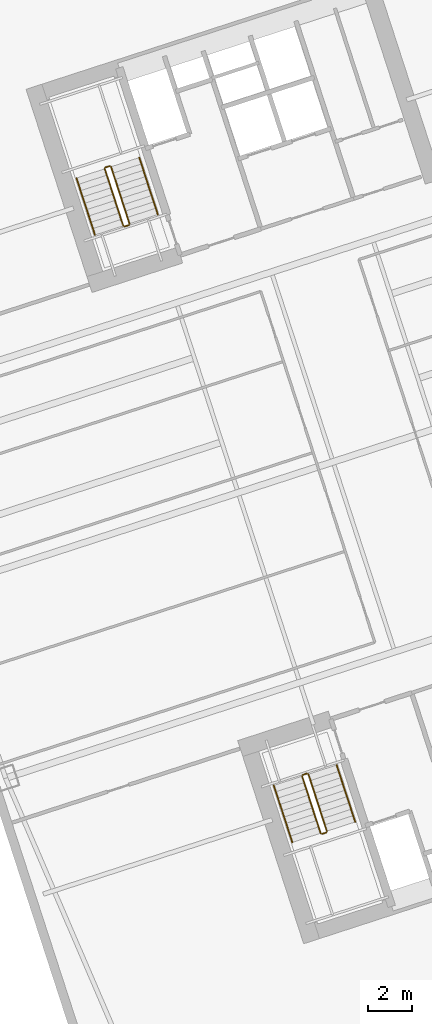
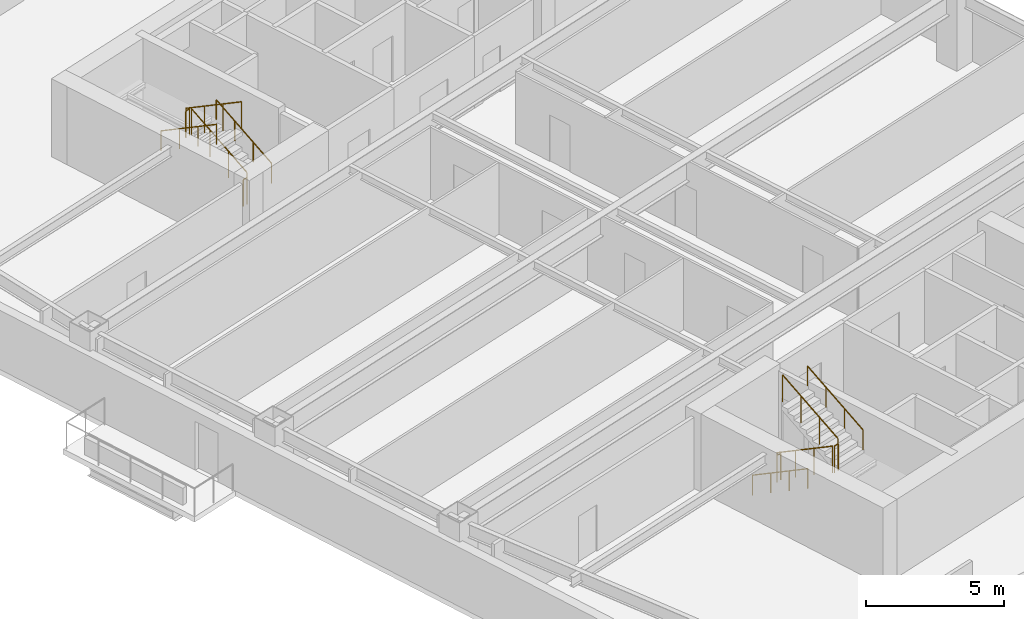
# One storey, part 14 of 15: 12 railings.
"""IFC4 building model written with IfcOpenShell, lengths in metres."""

from ifc_helpers import new_model, si_unit, direction, frame, origin, origin_2d, place, context, subcontext, project, spatial, circle, extrude, material, type_object, element, save


model = new_model("IFC4")

# Units and contexts
model_context = context("Model", 3, precision=1e-05, world=origin(), true_north=direction((0.0, 1.0)))
body_context = subcontext(model_context, "Body", "Model", "MODEL_VIEW")
ifc_project = project(units=[si_unit("LENGTHUNIT", "METRE"), si_unit("AREAUNIT", "SQUARE_METRE"), si_unit("VOLUMEUNIT", "CUBIC_METRE"), si_unit("PLANEANGLEUNIT", "RADIAN"), si_unit("MASSUNIT", "GRAM", prefix="KILO")], contexts=[model_context])

# Site, building, storey
site_placement = place(None, origin())
site = spatial("IfcSite", under=ifc_project, at=site_placement, CompositionType="ELEMENT")
building_placement = place(site_placement, origin())
building = spatial("IfcBuilding", under=site, at=building_placement, Name="Qiaolan Cultural Towers", CompositionType="ELEMENT")
storey_placement = place(building_placement, frame((0.0, 0.0, 50.60009765625)))
storey = spatial("IfcBuildingStorey", under=building, at=storey_placement, Name="L11", CompositionType="ELEMENT", Elevation=50.60009765625)

# Railings
ifc_material_1 = material(Name="Galvanized Painted Steel Stair Guardrail", Category="steel")
railing_type_1 = type_object("IfcRailingType", Name="RL-STAIR-GRD", PredefinedType="GUARDRAIL", material=ifc_material_1)
railing_1_placement = place(storey_placement, frame((88.60205078125, 19.82421875, 0.17236328125)))
element("IfcRailing", 1, at=railing_1_placement, inside=storey, type_object=railing_type_1, Name="L11 ST-E1 stair guard 1", PredefinedType="GUARDRAIL", context=body_context, shape_type="SweptSolid", body=[
    extrude(circle(Radius=0.02392578125, at=origin_2d()), frame((0.0, 0.0, 1.17578125), z_axis=(0.267925668498, -0.824471088726, 0.498460891159), x_axis=(0.951043371037, 0.309057448393, 0.0)), (0.0, 0.0, 1.0), 3.114501953125),
    extrude(circle(Radius=0.02099609375, at=origin_2d()), origin(), (0.0, 0.0, 1.0), 1.15185546875),
    extrude(circle(Radius=0.02099609375, at=origin_2d()), frame((0.278076171875, -0.85595703125, 0.517578125)), (0.0, 0.0, 1.0), 1.15185546875),
    extrude(circle(Radius=0.02099609375, at=origin_2d()), frame((0.556396484375, -1.7119140625, 1.034912109375)), (0.0, 0.0, 1.0), 1.15185546875),
    extrude(circle(Radius=0.02099609375, at=origin_2d()), frame((0.83447265625, -2.56787109375, 1.552490234375)), (0.0, 0.0, 1.0), 1.15185546875),
])
railing_2_placement = place(storey_placement, frame((89.49951171875, 17.224365234375, 1.724853515625)))
element("IfcRailing", 2, at=railing_2_placement, inside=storey, type_object=railing_type_1, Name="L11 ST-E1 stair guard 2", PredefinedType="GUARDRAIL", context=body_context, shape_type="SweptSolid", body=[
    extrude(circle(Radius=0.02392578125, at=origin_2d()), frame((0.0, 0.0, 1.17578125), z_axis=(0.951096855055, 0.308892816854, 0.0), x_axis=(-0.308892816854, 0.951096855055, 0.0)), (0.0, 0.0, 1.0), 0.199951171875),
    extrude(circle(Radius=0.02099609375, at=origin_2d()), origin(), (0.0, 0.0, 1.0), 1.15185546875),
    extrude(circle(Radius=0.02099609375, at=origin_2d()), frame((0.190185546875, 0.061767578125, 0.0)), (0.0, 0.0, 1.0), 1.15185546875),
])
railing_3_placement = place(storey_placement, frame((89.721923828125, 17.34912109375, 1.8974609375)))
element("IfcRailing", 3, at=railing_3_placement, inside=storey, type_object=railing_type_1, Name="L11 ST-E1 stair guard 3", PredefinedType="GUARDRAIL", context=body_context, shape_type="SweptSolid", body=[
    extrude(circle(Radius=0.02392578125, at=origin_2d()), frame((0.0, 0.0, 1.17578125), z_axis=(-0.267925668498, 0.824471088726, 0.498460891159), x_axis=(-0.951043371037, -0.309057448393, 0.0)), (0.0, 0.0, 1.0), 3.114501953125),
    extrude(circle(Radius=0.02099609375, at=origin_2d()), origin(), (0.0, 0.0, 1.0), 1.15185546875),
    extrude(circle(Radius=0.02099609375, at=origin_2d()), frame((-0.278076171875, 0.85595703125, 0.517578125)), (0.0, 0.0, 1.0), 1.15185546875),
    extrude(circle(Radius=0.02099609375, at=origin_2d()), frame((-0.556396484375, 1.7119140625, 1.034912109375)), (0.0, 0.0, 1.0), 1.15185546875),
    extrude(circle(Radius=0.02099609375, at=origin_2d()), frame((-0.83447265625, 2.56787109375, 1.552490234375)), (0.0, 0.0, 1.0), 1.15185546875),
])
railing_4_placement = place(storey_placement, frame((88.63427734375, 19.88720703125, 0.0)))
element("IfcRailing", 4, at=railing_4_placement, inside=storey, type_object=railing_type_1, Name="L11 ST-E1 stair guard 4", PredefinedType="GUARDRAIL", context=body_context, shape_type="SweptSolid", body=[
    extrude(circle(Radius=0.02392578125, at=origin_2d()), frame((0.0, 0.0, 1.17578125), z_axis=(0.951096855055, 0.308892816854, 0.0), x_axis=(-0.308892816854, 0.951096855055, 0.0)), (0.0, 0.0, 1.0), 0.199951171875),
    extrude(circle(Radius=0.02099609375, at=origin_2d()), origin(), (0.0, 0.0, 1.0), 1.15185546875),
    extrude(circle(Radius=0.02099609375, at=origin_2d()), frame((0.190185546875, 0.061767578125, 0.0)), (0.0, 0.0, 1.0), 1.15185546875),
])
railing_5_placement = place(storey_placement, frame((80.822021484375, 44.739501953125, 0.17236328125)))
element("IfcRailing", 5, at=railing_5_placement, inside=storey, type_object=railing_type_1, Name="L11 ST-E2 stair guard 1", PredefinedType="GUARDRAIL", context=body_context, shape_type="SweptSolid", body=[
    extrude(circle(Radius=0.02392578125, at=origin_2d()), frame((0.0, 0.0, 1.17578125), z_axis=(-0.26785290645, 0.824488402118, 0.498471358535), x_axis=(-0.951069945308, -0.308975661068, 0.0)), (0.0, 0.0, 1.0), 3.114501953125),
    extrude(circle(Radius=0.02099609375, at=origin_2d()), origin(), (0.0, 0.0, 1.0), 1.15185546875),
    extrude(circle(Radius=0.02099609375, at=origin_2d()), frame((-0.278076171875, 0.85595703125, 0.517578125)), (0.0, 0.0, 1.0), 1.15185546875),
    extrude(circle(Radius=0.02099609375, at=origin_2d()), frame((-0.55615234375, 1.7119140625, 1.034912109375)), (0.0, 0.0, 1.0), 1.15185546875),
    extrude(circle(Radius=0.02099609375, at=origin_2d()), frame((-0.834228515625, 2.56787109375, 1.552490234375)), (0.0, 0.0, 1.0), 1.15185546875),
])
railing_6_placement = place(storey_placement, frame((79.9248046875, 47.33935546875, 1.724853515625)))
element("IfcRailing", 6, at=railing_6_placement, inside=storey, type_object=railing_type_1, Name="L11 ST-E2 stair guard 2", PredefinedType="GUARDRAIL", context=body_context, shape_type="SweptSolid", body=[
    extrude(circle(Radius=0.02392578125, at=origin_2d()), frame((0.0, 0.0, 1.17578125), z_axis=(-0.951096855055, -0.308892816854, 0.0), x_axis=(0.308892816854, -0.951096855055, 0.0)), (0.0, 0.0, 1.0), 0.199951171875),
    extrude(circle(Radius=0.02099609375, at=origin_2d()), origin(), (0.0, 0.0, 1.0), 1.15185546875),
    extrude(circle(Radius=0.02099609375, at=origin_2d()), frame((-0.190185546875, -0.061767578125, 0.0)), (0.0, 0.0, 1.0), 1.15185546875),
])
railing_7_placement = place(storey_placement, frame((79.702392578125, 47.214599609375, 1.8974609375)))
element("IfcRailing", 7, at=railing_7_placement, inside=storey, type_object=railing_type_1, Name="L11 ST-E2 stair guard 3", PredefinedType="GUARDRAIL", context=body_context, shape_type="SweptSolid", body=[
    extrude(circle(Radius=0.02392578125, at=origin_2d()), frame((0.0, 0.0, 1.17578125), z_axis=(0.267925668498, -0.824471088726, 0.498460891159), x_axis=(0.951043371037, 0.309057448393, 0.0)), (0.0, 0.0, 1.0), 3.114501953125),
    extrude(circle(Radius=0.02099609375, at=origin_2d()), origin(), (0.0, 0.0, 1.0), 1.15185546875),
    extrude(circle(Radius=0.02099609375, at=origin_2d()), frame((0.278076171875, -0.85595703125, 0.517578125)), (0.0, 0.0, 1.0), 1.15185546875),
    extrude(circle(Radius=0.02099609375, at=origin_2d()), frame((0.556396484375, -1.7119140625, 1.034912109375)), (0.0, 0.0, 1.0), 1.15185546875),
    extrude(circle(Radius=0.02099609375, at=origin_2d()), frame((0.83447265625, -2.56787109375, 1.552490234375)), (0.0, 0.0, 1.0), 1.15185546875),
])
railing_8_placement = place(storey_placement, frame((80.7900390625, 44.676513671875, 0.0)))
element("IfcRailing", 8, at=railing_8_placement, inside=storey, type_object=railing_type_1, Name="L11 ST-E2 stair guard 4", PredefinedType="GUARDRAIL", context=body_context, shape_type="SweptSolid", body=[
    extrude(circle(Radius=0.02392578125, at=origin_2d()), frame((0.0, 0.0, 1.17578125), z_axis=(-0.951096855055, -0.308892816854, 0.0), x_axis=(0.308892816854, -0.951096855055, 0.0)), (0.0, 0.0, 1.0), 0.199951171875),
    extrude(circle(Radius=0.02099609375, at=origin_2d()), origin(), (0.0, 0.0, 1.0), 1.15185546875),
    extrude(circle(Radius=0.02099609375, at=origin_2d()), frame((-0.190185546875, -0.061767578125, 0.0)), (0.0, 0.0, 1.0), 1.15185546875),
])
ifc_material_2 = material(Name="Stainless Steel S30408 Tubular Handrail", Category="steel")
railing_type_2 = type_object("IfcRailingType", Name="RL-STAIR-HR", PredefinedType="HANDRAIL", material=ifc_material_2)
railing_9_placement = place(storey_placement, frame((87.32763671875, 19.41015625, 0.17236328125)))
element("IfcRailing", 9, at=railing_9_placement, inside=storey, type_object=railing_type_2, Name="L11 ST-E1 stair handrail 1", PredefinedType="HANDRAIL", context=body_context, shape_type="SweptSolid", body=[
    extrude(circle(Radius=0.02392578125, at=origin_2d()), frame((0.0, 0.0, 0.8759765625), z_axis=(0.267925668498, -0.824471088726, 0.498460891159), x_axis=(0.951043371037, 0.309057448393, 0.0)), (0.0, 0.0, 1.0), 3.114501953125),
    extrude(circle(Radius=0.02099609375, at=origin_2d()), origin(), (0.0, 0.0, 1.0), 0.851806640625),
    extrude(circle(Radius=0.02099609375, at=origin_2d()), frame((0.278076171875, -0.85595703125, 0.517578125)), (0.0, 0.0, 1.0), 0.851806640625),
    extrude(circle(Radius=0.02099609375, at=origin_2d()), frame((0.556396484375, -1.7119140625, 1.034912109375)), (0.0, 0.0, 1.0), 0.851806640625),
    extrude(circle(Radius=0.02099609375, at=origin_2d()), frame((0.83447265625, -2.56787109375, 1.552490234375)), (0.0, 0.0, 1.0), 0.851806640625),
])
railing_10_placement = place(storey_placement, frame((90.996337890625, 17.76318359375, 1.8974609375)))
element("IfcRailing", 10, at=railing_10_placement, inside=storey, type_object=railing_type_2, Name="L11 ST-E1 stair handrail 2", PredefinedType="HANDRAIL", context=body_context, shape_type="SweptSolid", body=[
    extrude(circle(Radius=0.02392578125, at=origin_2d()), frame((0.0, 0.0, 0.8759765625), z_axis=(-0.267925668498, 0.824471088726, 0.498460891159), x_axis=(-0.951043371037, -0.309057448393, 0.0)), (0.0, 0.0, 1.0), 3.114501953125),
    extrude(circle(Radius=0.02099609375, at=origin_2d()), origin(), (0.0, 0.0, 1.0), 0.851806640625),
    extrude(circle(Radius=0.02099609375, at=origin_2d()), frame((-0.278076171875, 0.85595703125, 0.517578125)), (0.0, 0.0, 1.0), 0.851806640625),
    extrude(circle(Radius=0.02099609375, at=origin_2d()), frame((-0.556396484375, 1.7119140625, 1.034912109375)), (0.0, 0.0, 1.0), 0.851806640625),
    extrude(circle(Radius=0.02099609375, at=origin_2d()), frame((-0.83447265625, 2.56787109375, 1.552490234375)), (0.0, 0.0, 1.0), 0.851806640625),
])
railing_11_placement = place(storey_placement, frame((82.096435546875, 45.153564453125, 0.17236328125)))
element("IfcRailing", 11, at=railing_11_placement, inside=storey, type_object=railing_type_2, Name="L11 ST-E2 stair handrail 1", PredefinedType="HANDRAIL", context=body_context, shape_type="SweptSolid", body=[
    extrude(circle(Radius=0.02392578125, at=origin_2d()), frame((0.0, 0.0, 0.8759765625), z_axis=(-0.26785290645, 0.824488402118, 0.498471358535), x_axis=(-0.951069945308, -0.308975661068, 0.0)), (0.0, 0.0, 1.0), 3.114501953125),
    extrude(circle(Radius=0.02099609375, at=origin_2d()), origin(), (0.0, 0.0, 1.0), 0.851806640625),
    extrude(circle(Radius=0.02099609375, at=origin_2d()), frame((-0.278076171875, 0.85595703125, 0.517578125)), (0.0, 0.0, 1.0), 0.851806640625),
    extrude(circle(Radius=0.02099609375, at=origin_2d()), frame((-0.55615234375, 1.7119140625, 1.034912109375)), (0.0, 0.0, 1.0), 0.851806640625),
    extrude(circle(Radius=0.02099609375, at=origin_2d()), frame((-0.834228515625, 2.56787109375, 1.552490234375)), (0.0, 0.0, 1.0), 0.851806640625),
])
railing_12_placement = place(storey_placement, frame((78.427978515625, 46.800537109375, 1.8974609375)))
element("IfcRailing", 12, at=railing_12_placement, inside=storey, type_object=railing_type_2, Name="L11 ST-E2 stair handrail 2", PredefinedType="HANDRAIL", context=body_context, shape_type="SweptSolid", body=[
    extrude(circle(Radius=0.02392578125, at=origin_2d()), frame((0.0, 0.0, 0.8759765625), z_axis=(0.267925668498, -0.824471088726, 0.498460891159), x_axis=(0.951043371037, 0.309057448393, 0.0)), (0.0, 0.0, 1.0), 3.114501953125),
    extrude(circle(Radius=0.02099609375, at=origin_2d()), origin(), (0.0, 0.0, 1.0), 0.851806640625),
    extrude(circle(Radius=0.02099609375, at=origin_2d()), frame((0.278076171875, -0.85595703125, 0.517578125)), (0.0, 0.0, 1.0), 0.851806640625),
    extrude(circle(Radius=0.02099609375, at=origin_2d()), frame((0.556396484375, -1.7119140625, 1.034912109375)), (0.0, 0.0, 1.0), 0.851806640625),
    extrude(circle(Radius=0.02099609375, at=origin_2d()), frame((0.83447265625, -2.56787109375, 1.552490234375)), (0.0, 0.0, 1.0), 0.851806640625),
])

save(model, "model.ifc")
